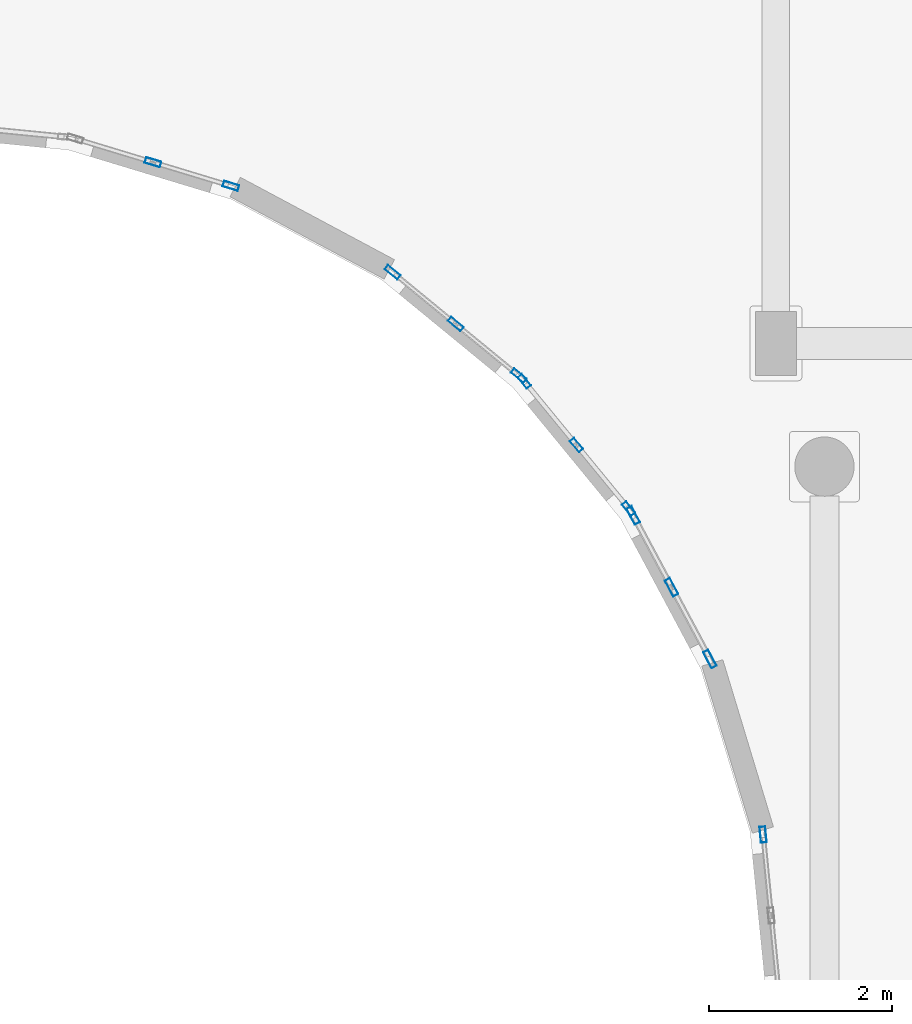
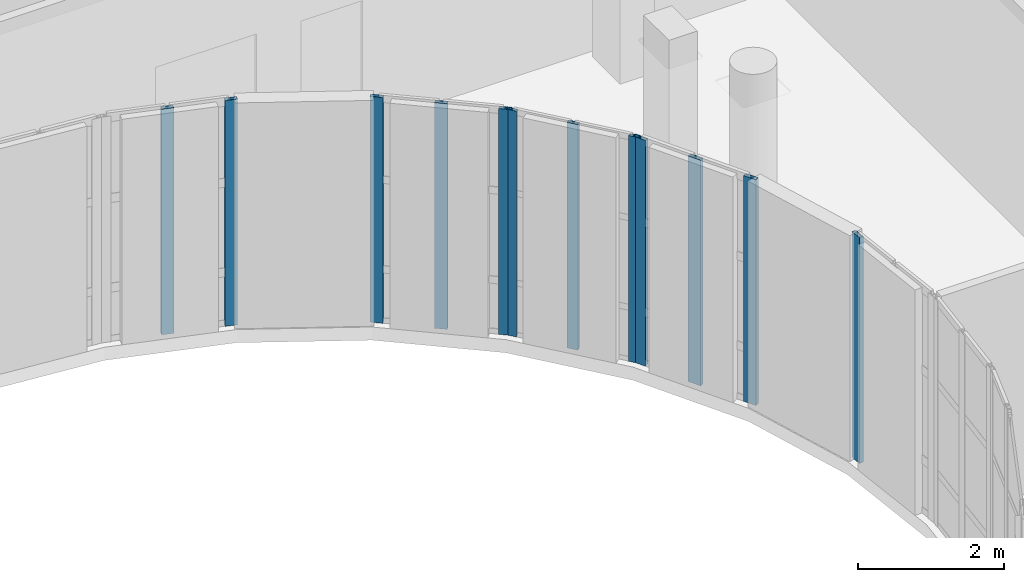
# One storey, part 40 of 92: 12 members, 5 elements without a shape of their own.
"""IFC4 building model written with IfcOpenShell, lengths in metres."""

from ifc_helpers import new_model, si_unit, direction, frame, origin, origin_2d, place, context, subcontext, project, spatial, hollow_rectangle, extrude, material, layer, layer_set, material_profile, profile_set, type_object, element, aggregate, save


model = new_model("IFC4")

# Units and contexts
model_context = context("Model", 3, precision=1e-05, world=origin(), true_north=direction((0.0, 1.0)))
body_context = subcontext(model_context, "Body", "Model", "MODEL_VIEW")
ifc_project = project(units=[si_unit("LENGTHUNIT", "METRE"), si_unit("AREAUNIT", "SQUARE_METRE"), si_unit("VOLUMEUNIT", "CUBIC_METRE"), si_unit("PLANEANGLEUNIT", "RADIAN"), si_unit("MASSUNIT", "GRAM", prefix="KILO")], contexts=[model_context])

# Site, building, storey
site_placement = place(None, origin())
site = spatial("IfcSite", under=ifc_project, at=site_placement, CompositionType="ELEMENT")
building_placement = place(site_placement, origin())
building = spatial("IfcBuilding", under=site, at=building_placement, Name="Kelanivale Promenade Academy", CompositionType="ELEMENT")
storey_placement = place(building_placement, frame((0.0, 0.0, 8.199951171875)))
storey = spatial("IfcBuildingStorey", under=building, at=storey_placement, Name="L02", CompositionType="ELEMENT", Elevation=8.199951171875)

# Curtain wall, members
ifc_material_1 = material(Name="Bronze anodised aluminium and solar-control low-E glass", Category="aluminium")
ifc_layer_1 = layer(ifc_material_1, 0.159912109375)
ifc_layer_set_1 = layer_set([ifc_layer_1], Name="Bronze anodised aluminium and solar-control low-E glass")
curtain_wall_type_1 = type_object("IfcCurtainWallType", Name="CW-09 Curtain Wall 1650mm Module", PredefinedType="USERDEFINED", material=ifc_layer_set_1)
curtain_wall_1_placement = place(storey_placement, origin())
curtain_wall_1 = element("IfcCurtainWall", 1, at=curtain_wall_1_placement, inside=storey, type_object=curtain_wall_type_1, Name="L02 courtyard curtain wall CW-09", ObjectType="UNITISED GLAZING", PredefinedType="USERDEFINED")
ifc_material_2 = material(Name="Bronze anodised aluminium EN AW-6063 T6", Category="aluminium")
ifc_material_profile_1 = material_profile(ifc_material_2, hollow_rectangle(XDim=0.06005859375, YDim=0.159912109375, WallThickness=0.00390625, at=origin_2d()), Name="ALU 60x160x4.0")
ifc_profile_set_1 = profile_set([ifc_material_profile_1], Name="Bronze anodised aluminium EN AW-6063 T6")
member_type_1 = type_object("IfcMemberType", Name="CWM-01 ALU 60x160x4.0", PredefinedType="MULLION", material=ifc_profile_set_1)
member_1_placement = place(storey_placement, frame((106.7880859375, 62.190185546875, 0.0), z_axis=(0.0, 0.0, 1.0), x_axis=(-0.773215132597, -0.634143799719, 0.0)))
member_1 = element("IfcMember", 2, at=member_1_placement, type_object=member_type_1, Name="CW-09 mullion 1", PredefinedType="MULLION", context=body_context, shape_type="SweptSolid", body=[
    extrude(hollow_rectangle(XDim=0.06005859375, YDim=0.159912109375, WallThickness=0.00390625, at=origin_2d()), origin(), (0.0, 0.0, 1.0), 3.780029296875),
])
member_2_placement = place(storey_placement, frame((106.216552734375, 62.886962890625, 0.0), z_axis=(0.0, 0.0, 1.0), x_axis=(-0.773215132597, -0.634143799719, 0.0)))
member_2 = element("IfcMember", 3, at=member_2_placement, type_object=member_type_1, Name="CW-09 mullion 2", PredefinedType="MULLION", context=body_context, shape_type="SweptSolid", body=[
    extrude(hollow_rectangle(XDim=0.06005859375, YDim=0.159912109375, WallThickness=0.00390625, at=origin_2d()), origin(), (0.0, 0.0, 1.0), 3.780029296875),
])
member_3_placement = place(storey_placement, frame((105.64501953125, 63.583740234375, 0.0), z_axis=(0.0, 0.0, 1.0), x_axis=(-0.773215132597, -0.634143799719, 0.0)))
member_3 = element("IfcMember", 4, at=member_3_placement, type_object=member_type_1, Name="CW-09 mullion 3", PredefinedType="MULLION", context=body_context, shape_type="SweptSolid", body=[
    extrude(hollow_rectangle(XDim=0.06005859375, YDim=0.159912109375, WallThickness=0.00390625, at=origin_2d()), origin(), (0.0, 0.0, 1.0), 3.780029296875),
])
aggregate(curtain_wall_1, [member_1, member_2, member_3])

ifc_layer_2 = layer(ifc_material_1, 0.169921875)
ifc_layer_set_2 = layer_set([ifc_layer_2], Name="Bronze anodised aluminium and solar-control low-E glass")
curtain_wall_type_2 = type_object("IfcCurtainWallType", Name="CW-10 Curtain Wall 1800mm Module", PredefinedType="USERDEFINED", material=ifc_layer_set_2)
curtain_wall_2_placement = place(storey_placement, origin())
curtain_wall_2 = element("IfcCurtainWall", 5, at=curtain_wall_2_placement, inside=storey, type_object=curtain_wall_type_2, Name="L02 courtyard curtain wall CW-10", ObjectType="UNITISED GLAZING", PredefinedType="USERDEFINED")
ifc_material_profile_2 = material_profile(ifc_material_2, hollow_rectangle(XDim=0.06005859375, YDim=0.179931640625, WallThickness=0.00390625, at=origin_2d()), Name="ALU 60x180x4.0")
ifc_profile_set_2 = profile_set([ifc_material_profile_2], Name="Bronze anodised aluminium EN AW-6063 T6")
member_type_2 = type_object("IfcMemberType", Name="CWM-02 ALU 60x180x4.0", PredefinedType="MULLION", material=ifc_profile_set_2)
member_4_placement = place(storey_placement, frame((105.583740234375, 63.64501953125, 0.0), z_axis=(0.0, 0.0, 1.0), x_axis=(-0.634092539482, -0.773257170269, 0.0)))
member_4 = element("IfcMember", 6, at=member_4_placement, type_object=member_type_2, Name="CW-10 mullion 1", PredefinedType="MULLION", context=body_context, shape_type="SweptSolid", body=[
    extrude(hollow_rectangle(XDim=0.06005859375, YDim=0.179931640625, WallThickness=0.00390625, at=origin_2d()), origin(), (0.0, 0.0, 1.0), 3.780029296875),
])
member_5_placement = place(storey_placement, frame((104.89306640625, 64.21142578125, 0.0), z_axis=(0.0, 0.0, 1.0), x_axis=(-0.634092539482, -0.773257170269, 0.0)))
member_5 = element("IfcMember", 7, at=member_5_placement, type_object=member_type_2, Name="CW-10 mullion 2", PredefinedType="MULLION", context=body_context, shape_type="SweptSolid", body=[
    extrude(hollow_rectangle(XDim=0.06005859375, YDim=0.179931640625, WallThickness=0.00390625, at=origin_2d()), origin(), (0.0, 0.0, 1.0), 3.780029296875),
])
member_6_placement = place(storey_placement, frame((104.2021484375, 64.778076171875, 0.0), z_axis=(0.0, 0.0, 1.0), x_axis=(-0.634092539482, -0.773257170269, 0.0)))
member_6 = element("IfcMember", 8, at=member_6_placement, type_object=member_type_2, Name="CW-10 mullion 3", PredefinedType="MULLION", context=body_context, shape_type="SweptSolid", body=[
    extrude(hollow_rectangle(XDim=0.06005859375, YDim=0.179931640625, WallThickness=0.00390625, at=origin_2d()), origin(), (0.0, 0.0, 1.0), 3.780029296875),
])
aggregate(curtain_wall_2, [member_4, member_5, member_6])

ifc_layer_3 = layer(ifc_material_1, 0.179931640625)
ifc_layer_set_3 = layer_set([ifc_layer_3], Name="Bronze anodised aluminium and solar-control low-E glass")
curtain_wall_type_3 = type_object("IfcCurtainWallType", Name="CW-11 Curtain Wall 1950mm Module", PredefinedType="USERDEFINED", material=ifc_layer_set_3)
curtain_wall_3_placement = place(storey_placement, origin())
curtain_wall_3 = element("IfcCurtainWall", 9, at=curtain_wall_3_placement, inside=storey, type_object=curtain_wall_type_3, Name="L02 courtyard curtain wall CW-11", ObjectType="UNITISED GLAZING", PredefinedType="USERDEFINED")
ifc_material_profile_3 = material_profile(ifc_material_2, hollow_rectangle(XDim=0.06494140625, YDim=0.175048828125, WallThickness=0.00390625, at=origin_2d()), Name="ALU 65x175x4.0")
ifc_profile_set_3 = profile_set([ifc_material_profile_3], Name="Bronze anodised aluminium EN AW-6063 T6")
member_type_3 = type_object("IfcMemberType", Name="CWM-03 ALU 65x175x4.0", PredefinedType="MULLION", material=ifc_profile_set_3)
member_7_placement = place(storey_placement, frame((102.430908203125, 65.724365234375, 0.0), z_axis=(0.0, 0.0, 1.0), x_axis=(-0.290127576893, -0.956987977524, 0.0)))
member_7 = element("IfcMember", 10, at=member_7_placement, type_object=member_type_3, Name="CW-11 mullion 1", PredefinedType="MULLION", context=body_context, shape_type="SweptSolid", body=[
    extrude(hollow_rectangle(XDim=0.06494140625, YDim=0.175048828125, WallThickness=0.00390625, at=origin_2d()), origin(), (0.0, 0.0, 1.0), 3.780029296875),
])
member_8_placement = place(storey_placement, frame((101.577880859375, 65.98291015625, 0.0), z_axis=(0.0, 0.0, 1.0), x_axis=(-0.290127576893, -0.956987977524, 0.0)))
member_8 = element("IfcMember", 11, at=member_8_placement, type_object=member_type_3, Name="CW-11 mullion 2", PredefinedType="MULLION", context=body_context, shape_type="SweptSolid", body=[
    extrude(hollow_rectangle(XDim=0.06494140625, YDim=0.175048828125, WallThickness=0.00390625, at=origin_2d()), origin(), (0.0, 0.0, 1.0), 3.780029296875),
])
aggregate(curtain_wall_3, [member_7, member_8])

# Curtain wall, member
ifc_layer_4 = layer(ifc_material_1, 0.169921875)
ifc_layer_set_4 = layer_set([ifc_layer_4], Name="Bronze anodised aluminium and solar-control low-E glass")
curtain_wall_type_4 = type_object("IfcCurtainWallType", Name="CW-07 Curtain Wall 1350mm Module", PredefinedType="USERDEFINED", material=ifc_layer_set_4)
curtain_wall_4_placement = place(storey_placement, origin())
curtain_wall_4 = element("IfcCurtainWall", 12, at=curtain_wall_4_placement, inside=storey, type_object=curtain_wall_type_4, Name="L02 courtyard curtain wall CW-07", ObjectType="UNITISED GLAZING", PredefinedType="USERDEFINED")
member_9_placement = place(storey_placement, frame((108.26025390625, 58.61962890625, 0.0), z_axis=(0.0, 0.0, 1.0), x_axis=(-0.99513321337, -0.098538762159, 0.0)))
member_9 = element("IfcMember", 13, at=member_9_placement, type_object=member_type_3, Name="CW-07 mullion 3", PredefinedType="MULLION", context=body_context, shape_type="SweptSolid", body=[
    extrude(hollow_rectangle(XDim=0.06494140625, YDim=0.175048828125, WallThickness=0.00390625, at=origin_2d()), origin(), (0.0, 0.0, 1.0), 3.780029296875),
])
aggregate(curtain_wall_4, [member_9])

# Curtain wall, members
ifc_layer_5 = layer(ifc_material_1, 0.179931640625)
ifc_layer_set_5 = layer_set([ifc_layer_5], Name="Bronze anodised aluminium and solar-control low-E glass")
curtain_wall_type_5 = type_object("IfcCurtainWallType", Name="CW-08 Curtain Wall 1500mm Module", PredefinedType="USERDEFINED", material=ifc_layer_set_5)
curtain_wall_5_placement = place(storey_placement, origin())
curtain_wall_5 = element("IfcCurtainWall", 14, at=curtain_wall_5_placement, inside=storey, type_object=curtain_wall_type_5, Name="L02 courtyard curtain wall CW-08", ObjectType="UNITISED GLAZING", PredefinedType="USERDEFINED")
ifc_material_profile_4 = material_profile(ifc_material_2, hollow_rectangle(XDim=0.06494140625, YDim=0.199951171875, WallThickness=0.00439453125, at=origin_2d()), Name="ALU 65x200x4.5")
ifc_profile_set_4 = profile_set([ifc_material_profile_4], Name="Bronze anodised aluminium EN AW-6063 T6")
member_type_4 = type_object("IfcMemberType", Name="CWM-04 ALU 65x200x4.5", PredefinedType="MULLION", material=ifc_profile_set_4)
member_10_placement = place(storey_placement, frame((107.677734375, 60.542724609375, 0.0), z_axis=(0.0, 0.0, 1.0), x_axis=(-0.881978204448, -0.471290193914, 0.0)))
member_10 = element("IfcMember", 15, at=member_10_placement, type_object=member_type_4, Name="CW-08 mullion 1", PredefinedType="MULLION", context=body_context, shape_type="SweptSolid", body=[
    extrude(hollow_rectangle(XDim=0.06494140625, YDim=0.199951171875, WallThickness=0.00439453125, at=origin_2d()), origin(), (0.0, 0.0, 1.0), 3.780029296875),
])
member_11_placement = place(storey_placement, frame((107.257568359375, 61.3291015625, 0.0), z_axis=(0.0, 0.0, 1.0), x_axis=(-0.881978204448, -0.471290193914, 0.0)))
member_11 = element("IfcMember", 16, at=member_11_placement, type_object=member_type_4, Name="CW-08 mullion 2", PredefinedType="MULLION", context=body_context, shape_type="SweptSolid", body=[
    extrude(hollow_rectangle(XDim=0.06494140625, YDim=0.199951171875, WallThickness=0.00439453125, at=origin_2d()), origin(), (0.0, 0.0, 1.0), 3.780029296875),
])
member_12_placement = place(storey_placement, frame((106.83740234375, 62.115234375, 0.0), z_axis=(0.0, 0.0, 1.0), x_axis=(-0.881978204448, -0.471290193914, 0.0)))
member_12 = element("IfcMember", 17, at=member_12_placement, type_object=member_type_4, Name="CW-08 mullion 3", PredefinedType="MULLION", context=body_context, shape_type="SweptSolid", body=[
    extrude(hollow_rectangle(XDim=0.06494140625, YDim=0.199951171875, WallThickness=0.00439453125, at=origin_2d()), origin(), (0.0, 0.0, 1.0), 3.780029296875),
])
aggregate(curtain_wall_5, [member_10, member_11, member_12])

save(model, "model.ifc")
